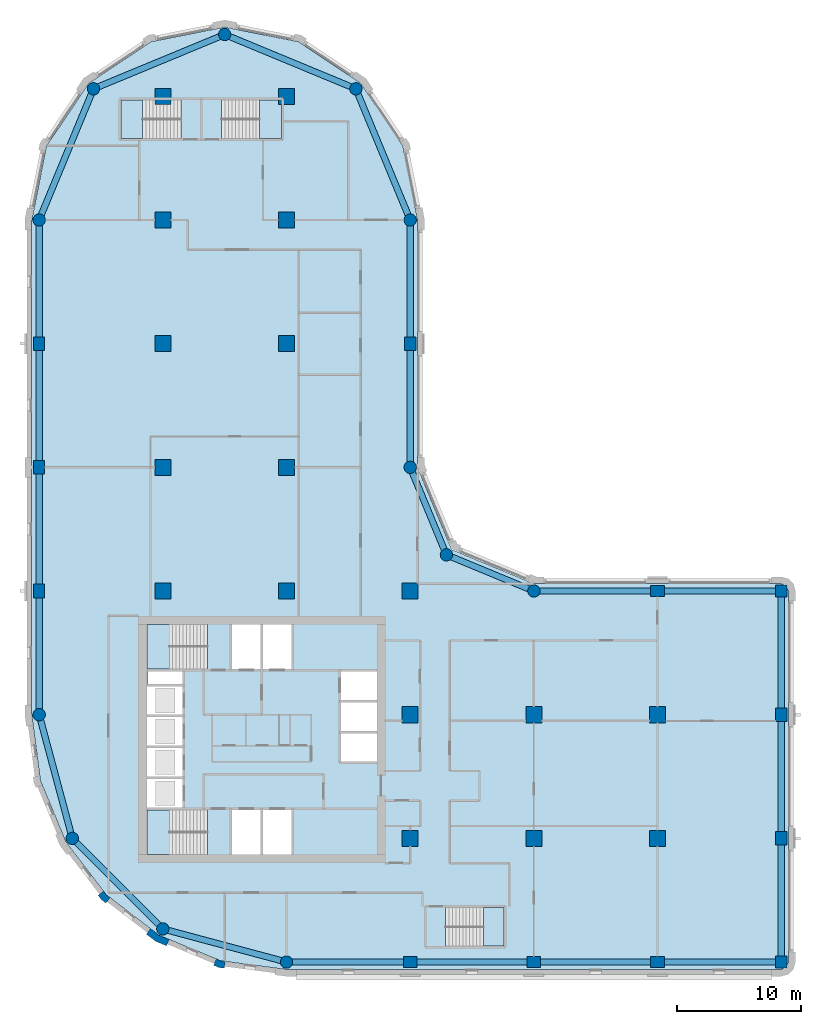
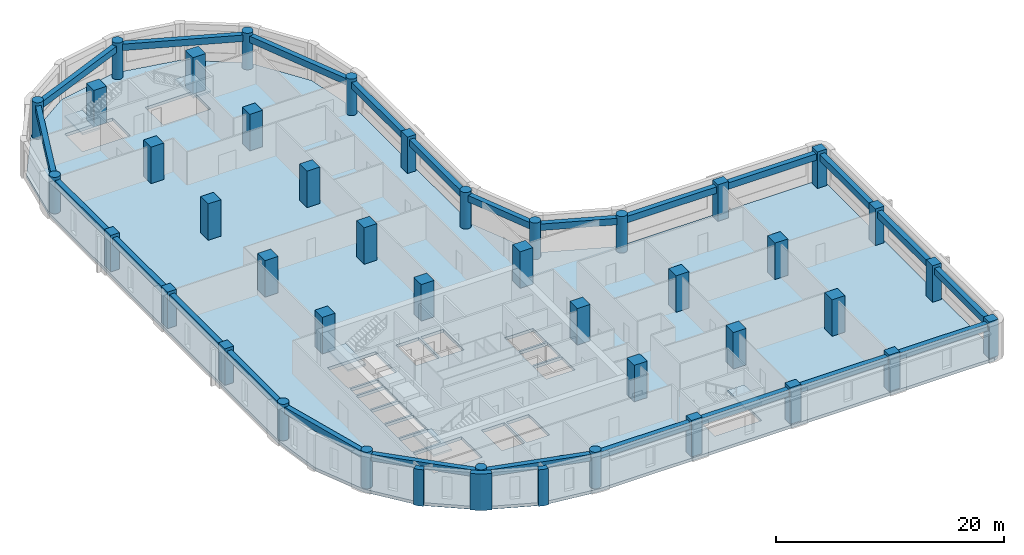
# One storey, part 1 of 9: 41 columns, 24 beams, 6 slabs, 3 walls, 5 elements without a shape of their own.
"""IFC4 building model written with IfcOpenShell, lengths in metres."""

from ifc_helpers import new_model, si_unit, direction, frame, origin, origin_2d, place, context, subcontext, project, spatial, polyline, rectangle, circle, outline, extrude, material, layer, layer_set, material_profile, profile_set, type_object, element, aggregate, save


model = new_model("IFC4")

# Units and contexts
model_context = context("Model", 3, precision=1e-05, world=origin(), true_north=direction((0.0, 1.0)))
body_context = subcontext(model_context, "Body", "Model", "MODEL_VIEW")
ifc_project = project(units=[si_unit("LENGTHUNIT", "METRE"), si_unit("AREAUNIT", "SQUARE_METRE"), si_unit("VOLUMEUNIT", "CUBIC_METRE"), si_unit("PLANEANGLEUNIT", "RADIAN"), si_unit("MASSUNIT", "GRAM", prefix="KILO")], contexts=[model_context])

# Site, building, storey
site_placement = place(None, origin())
site = spatial("IfcSite", under=ifc_project, at=site_placement, CompositionType="ELEMENT")
building_placement = place(site_placement, origin())
building = spatial("IfcBuilding", under=site, at=building_placement, Name="Qaws Garden Tower", CompositionType="ELEMENT")
storey_placement = place(building_placement, frame((0.0, 0.0, 159.0)))
storey = spatial("IfcBuildingStorey", under=building, at=storey_placement, Name="L38", CompositionType="ELEMENT", Elevation=159.0)

# Columns
ifc_material_1 = material(Name="Concrete C70", Category="concrete")
ifc_material_profile_1 = material_profile(ifc_material_1, rectangle(XDim=1.10009765625, YDim=0.89990234375, at=origin_2d()), Name="RC 1100x900")
ifc_profile_set_1 = profile_set([ifc_material_profile_1], Name="Concrete C70")
column_type_1 = type_object("IfcColumnType", Name="Column RC 1100x900 C70", PredefinedType="COLUMN", material=ifc_profile_set_1)
for number, where, z_axis, x_axis, name in (
    (1, (30.0, 0.0, 0.0), (0.0, 0.0, 1.0), (1.0, 0.0, 0.0), "Column L38-002"),
    (2, (40.0, 0.0, 0.0), (0.0, 0.0, 1.0), (1.0, 0.0, 0.0), "Column L38-003"),
    (3, (50.0, 0.0, 0.0), (0.0, 0.0, 1.0), (1.0, 0.0, 0.0), "Column L38-004"),
    (4, (60.0, 10.0, 0.0), (0.0, 0.0, 1.0), (0.0, 1.0, 0.0), "Column L38-006"),
    (5, (60.0, 20.0, 0.0), (0.0, 0.0, 1.0), (0.0, 1.0, 0.0), "Column L38-007"),
    (6, (50.0, 30.0, 0.0), (0.0, 0.0, 1.0), (1.0, 0.0, 0.0), "Column L38-009"),
    (7, (30.0, 50.0, 0.0), (0.0, 0.0, 1.0), (0.0, 1.0, 0.0), "Column L38-013"),
    (8, (0.0, 50.0, 0.0), (0.0, 0.0, 1.0), (0.0, 1.0, 0.0), "Column L38-019"),
    (9, (0.0, 40.0, 0.0), (0.0, 0.0, 1.0), (0.0, 1.0, 0.0), "Column L38-020"),
    (10, (0.0, 30.0, 0.0), (0.0, 0.0, 1.0), (0.0, 1.0, 0.0), "Column L38-021"),
):
    element("IfcColumn", number, at=place(storey_placement, frame(where, z_axis=z_axis, x_axis=x_axis)), inside=storey, type_object=column_type_1, Name=name, PredefinedType="COLUMN", context=body_context, shape_type="SweptSolid", body=[
        extrude(rectangle(XDim=1.10009765625, YDim=0.89990234375, at=origin_2d()), origin(), (0.0, 0.0, 1.0), 3.89990234375),
    ])
ifc_material_2 = material(Name="Concrete C70", Category="concrete")
ifc_material_profile_2 = material_profile(ifc_material_2, rectangle(XDim=1.300048828125, YDim=1.300048828125, at=origin_2d()), Name="RC 1300x1300")
ifc_profile_set_2 = profile_set([ifc_material_profile_2], Name="Concrete C70")
column_type_2 = type_object("IfcColumnType", Name="Column RC 1300x1300 C70", PredefinedType="COLUMN", material=ifc_profile_set_2)
for number, where, z_axis, x_axis, name in (
    (11, (10.0, 30.0, 0.0), (0.0, 0.0, 1.0), (1.0, 0.0, 0.0), "Column L38-025"),
    (12, (10.0, 40.0, 0.0), (0.0, 0.0, 1.0), (1.0, 0.0, 0.0), "Column L38-026"),
    (13, (10.0, 50.0, 0.0), (0.0, 0.0, 1.0), (1.0, 0.0, 0.0), "Column L38-027"),
    (14, (10.0, 60.0, 0.0), (0.0, 0.0, 1.0), (1.0, 0.0, 0.0), "Column L38-028"),
    (15, (10.0, 70.0, 0.0), (0.0, 0.0, 1.0), (1.0, 0.0, 0.0), "Column L38-029"),
    (16, (20.0, 30.0, 0.0), (0.0, 0.0, 1.0), (1.0, 0.0, 0.0), "Column L38-030"),
    (17, (20.0, 40.0, 0.0), (0.0, 0.0, 1.0), (1.0, 0.0, 0.0), "Column L38-031"),
    (18, (20.0, 50.0, 0.0), (0.0, 0.0, 1.0), (1.0, 0.0, 0.0), "Column L38-032"),
    (19, (20.0, 60.0, 0.0), (0.0, 0.0, 1.0), (1.0, 0.0, 0.0), "Column L38-033"),
    (20, (20.0, 70.0, 0.0), (0.0, 0.0, 1.0), (1.0, 0.0, 0.0), "Column L38-034"),
    (21, (30.0, 10.0, 0.0), (0.0, 0.0, 1.0), (1.0, 0.0, 0.0), "Column L38-035"),
    (22, (30.0, 20.0, 0.0), (0.0, 0.0, 1.0), (1.0, 0.0, 0.0), "Column L38-036"),
    (23, (30.0, 30.0, 0.0), (0.0, 0.0, 1.0), (1.0, 0.0, 0.0), "Column L38-037"),
    (24, (40.0, 10.0, 0.0), (0.0, 0.0, 1.0), (1.0, 0.0, 0.0), "Column L38-038"),
    (25, (40.0, 20.0, 0.0), (0.0, 0.0, 1.0), (1.0, 0.0, 0.0), "Column L38-039"),
    (26, (50.0, 10.0, 0.0), (0.0, 0.0, 1.0), (1.0, 0.0, 0.0), "Column L38-040"),
    (27, (50.0, 20.0, 0.0), (0.0, 0.0, 1.0), (1.0, 0.0, 0.0), "Column L38-041"),
):
    element("IfcColumn", number, at=place(storey_placement, frame(where, z_axis=z_axis, x_axis=x_axis)), inside=storey, type_object=column_type_2, Name=name, PredefinedType="COLUMN", context=body_context, shape_type="SweptSolid", body=[
        extrude(rectangle(XDim=1.300048828125, YDim=1.300048828125, at=origin_2d()), origin(), (0.0, 0.0, 1.0), 3.89990234375),
    ])
ifc_material_3 = material(Name="Concrete C70", Category="concrete")
ifc_material_profile_3 = material_profile(ifc_material_3, rectangle(XDim=0.949951171875, YDim=0.949951171875, at=origin_2d()), Name="RC 950x950")
ifc_profile_set_3 = profile_set([ifc_material_profile_3], Name="Concrete C70")
column_type_3 = type_object("IfcColumnType", Name="Column RC 950x950 C70", PredefinedType="COLUMN", material=ifc_profile_set_3)
for number, where, z_axis, x_axis, name in (
    (28, (60.0, 0.0, 0.0), (0.0, 0.0, 1.0), (1.0, 0.0, 0.0), "Column L38-005"),
    (29, (60.0, 30.0, 0.0), (0.0, 0.0, 1.0), (1.0, 0.0, 0.0), "Column L38-008"),
):
    element("IfcColumn", number, at=place(storey_placement, frame(where, z_axis=z_axis, x_axis=x_axis)), inside=storey, type_object=column_type_3, Name=name, PredefinedType="COLUMN", context=body_context, shape_type="SweptSolid", body=[
        extrude(rectangle(XDim=0.949951171875, YDim=0.949951171875, at=origin_2d()), origin(), (0.0, 0.0, 1.0), 3.89990234375),
    ])
ifc_material_4 = material(Name="Concrete C70", Category="concrete")
ifc_material_profile_4 = material_profile(ifc_material_4, circle(Radius=0.5, at=origin_2d()), Name="RC D1000")
ifc_profile_set_4 = profile_set([ifc_material_profile_4], Name="Concrete C70")
column_type_4 = type_object("IfcColumnType", Name="Column RC D1000 C70", PredefinedType="COLUMN", material=ifc_profile_set_4)
for number, where, z_axis, x_axis, name in (
    (30, (20.0, 0.0, 0.0), (0.0, 0.0, 1.0), (1.0, 0.0, 0.0), "Column L38-001"),
    (31, (40.0, 30.0, 0.0), (0.0, 0.0, 1.0), (1.0, 0.0, 0.0), "Column L38-010"),
    (32, (32.928955078125, 32.928955078125, 0.0), (0.0, 0.0, 1.0), (1.0, 0.0, 0.0), "Column L38-011"),
    (33, (30.0, 40.0, 0.0), (0.0, 0.0, 1.0), (1.0, 0.0, 0.0), "Column L38-012"),
    (34, (30.0, 60.0, 0.0), (0.0, 0.0, 1.0), (1.0, 0.0, 0.0), "Column L38-014"),
    (35, (25.606689453125, 70.606689453125, 0.0), (0.0, 0.0, 1.0), (1.0, 0.0, 0.0), "Column L38-015"),
    (36, (15.0, 75.0, 0.0), (0.0, 0.0, 1.0), (1.0, 0.0, 0.0), "Column L38-016"),
    (37, (4.393310546875, 70.606689453125, 0.0), (0.0, 0.0, 1.0), (1.0, 0.0, 0.0), "Column L38-017"),
    (38, (0.0, 60.0, 0.0), (0.0, 0.0, 1.0), (1.0, 0.0, 0.0), "Column L38-018"),
    (39, (0.0, 20.0, 0.0), (0.0, 0.0, 1.0), (1.0, 0.0, 0.0), "Column L38-022"),
    (40, (2.679443359375, 10.0, 0.0), (0.0, 0.0, 1.0), (1.0, 0.0, 0.0), "Column L38-023"),
    (41, (10.0, 2.679443359375, 0.0), (0.0, 0.0, 1.0), (1.0, 0.0, 0.0), "Column L38-024"),
):
    element("IfcColumn", number, at=place(storey_placement, frame(where, z_axis=z_axis, x_axis=x_axis)), inside=storey, type_object=column_type_4, Name=name, PredefinedType="COLUMN", context=body_context, shape_type="SweptSolid", body=[
        extrude(circle(Radius=0.5, at=origin_2d()), origin(), (0.0, 0.0, 1.0), 3.89990234375),
    ])

# Beams
ifc_material_5 = material(Name="Concrete C45", Category="concrete")
ifc_material_profile_5 = material_profile(ifc_material_5, rectangle(XDim=0.5, YDim=0.699951171875, at=origin_2d()), Name="RC 500x700")
ifc_profile_set_5 = profile_set([ifc_material_profile_5], Name="Concrete C45")
beam_type = type_object("IfcBeamType", Name="Spandrel beam RC 500x700 C45", PredefinedType="SPANDREL", material=ifc_profile_set_5)
for number, where, z_axis, x_axis, name in (
    (42, (20.0, 0.0, 3.22998046875), (1.0, 0.0, 0.0), (0.0, 1.0, 0.0), "Spandrel beam L38-001"),
    (43, (30.0, 0.0, 3.22998046875), (1.0, 0.0, 0.0), (0.0, 1.0, 0.0), "Spandrel beam L38-002"),
    (44, (40.0, 0.0, 3.22998046875), (1.0, 0.0, 0.0), (0.0, 1.0, 0.0), "Spandrel beam L38-003"),
    (45, (50.0, 0.0, 3.22998046875), (1.0, 0.0, 0.0), (0.0, 1.0, 0.0), "Spandrel beam L38-004"),
    (46, (60.0, 0.0, 3.22998046875), (0.0, 1.0, 0.0), (-1.0, 0.0, 0.0), "Spandrel beam L38-005"),
    (47, (60.0, 10.0, 3.22998046875), (0.0, 1.0, 0.0), (-1.0, 0.0, 0.0), "Spandrel beam L38-006"),
    (48, (60.0, 20.0, 3.22998046875), (0.0, 1.0, 0.0), (-1.0, 0.0, 0.0), "Spandrel beam L38-007"),
    (49, (60.0, 30.0, 3.22998046875), (-1.0, 0.0, 0.0), (0.0, -1.0, 0.0), "Spandrel beam L38-008"),
    (50, (50.0, 30.0, 3.22998046875), (-1.0, 0.0, 0.0), (0.0, -1.0, 0.0), "Spandrel beam L38-009"),
):
    element("IfcBeam", number, at=place(storey_placement, frame(where, z_axis=z_axis, x_axis=x_axis)), inside=storey, type_object=beam_type, Name=name, PredefinedType="SPANDREL", context=body_context, shape_type="SweptSolid", body=[
        extrude(rectangle(XDim=0.5, YDim=0.699951171875, at=origin_2d()), origin(), (0.0, 0.0, 1.0), 10.0),
    ])
for number, where, z_axis, x_axis, name in (
    (51, (40.0, 30.0, 3.22998046875), (-0.923878037141, 0.382687042488, 0.0), (-0.382687042488, -0.923878037141, 0.0), "Spandrel beam L38-010"),
    (52, (32.928955078125, 32.928955078125, 3.22998046875), (-0.382687042488, 0.923878037141, 0.0), (-0.923878037141, -0.382687042488, 0.0), "Spandrel beam L38-011"),
):
    element("IfcBeam", number, at=place(storey_placement, frame(where, z_axis=z_axis, x_axis=x_axis)), inside=storey, type_object=beam_type, Name=name, PredefinedType="SPANDREL", context=body_context, shape_type="SweptSolid", body=[
        extrude(rectangle(XDim=0.5, YDim=0.699951171875, at=origin_2d()), origin(), (0.0, 0.0, 1.0), 7.653564453125),
    ])
for number, where, z_axis, x_axis, name in (
    (53, (30.0, 40.0, 3.22998046875), (0.0, 1.0, 0.0), (-1.0, 0.0, 0.0), "Spandrel beam L38-012"),
    (54, (30.0, 50.0, 3.22998046875), (0.0, 1.0, 0.0), (-1.0, 0.0, 0.0), "Spandrel beam L38-013"),
):
    element("IfcBeam", number, at=place(storey_placement, frame(where, z_axis=z_axis, x_axis=x_axis)), inside=storey, type_object=beam_type, Name=name, PredefinedType="SPANDREL", context=body_context, shape_type="SweptSolid", body=[
        extrude(rectangle(XDim=0.5, YDim=0.699951171875, at=origin_2d()), origin(), (0.0, 0.0, 1.0), 10.0),
    ])
for number, where, z_axis, x_axis, name in (
    (55, (30.0, 60.0, 3.22998046875), (-0.382674207535, 0.923883353507, 0.0), (-0.923883353507, -0.382674207535, 0.0), "Spandrel beam L38-014"),
    (56, (25.606689453125, 70.606689453125, 3.22998046875), (-0.923883353507, 0.382674207535, 0.0), (-0.382674207535, -0.923883353507, 0.0), "Spandrel beam L38-015"),
    (57, (15.0, 75.0, 3.22998046875), (-0.923883353507, -0.382674207535, 0.0), (0.382674207535, -0.923883353507, 0.0), "Spandrel beam L38-016"),
    (58, (4.393310546875, 70.606689453125, 3.22998046875), (-0.382674207535, -0.923883353507, 0.0), (0.923883353507, -0.382674207535, 0.0), "Spandrel beam L38-017"),
):
    element("IfcBeam", number, at=place(storey_placement, frame(where, z_axis=z_axis, x_axis=x_axis)), inside=storey, type_object=beam_type, Name=name, PredefinedType="SPANDREL", context=body_context, shape_type="SweptSolid", body=[
        extrude(rectangle(XDim=0.5, YDim=0.699951171875, at=origin_2d()), origin(), (0.0, 0.0, 1.0), 11.48046875),
    ])
for number, where, z_axis, x_axis, name in (
    (59, (0.0, 60.0, 3.22998046875), (0.0, -1.0, 0.0), (1.0, 0.0, 0.0), "Spandrel beam L38-018"),
    (60, (0.0, 50.0, 3.22998046875), (0.0, -1.0, 0.0), (1.0, 0.0, 0.0), "Spandrel beam L38-019"),
    (61, (0.0, 40.0, 3.22998046875), (0.0, -1.0, 0.0), (1.0, 0.0, 0.0), "Spandrel beam L38-020"),
    (62, (0.0, 30.0, 3.22998046875), (0.0, -1.0, 0.0), (1.0, 0.0, 0.0), "Spandrel beam L38-021"),
):
    element("IfcBeam", number, at=place(storey_placement, frame(where, z_axis=z_axis, x_axis=x_axis)), inside=storey, type_object=beam_type, Name=name, PredefinedType="SPANDREL", context=body_context, shape_type="SweptSolid", body=[
        extrude(rectangle(XDim=0.5, YDim=0.699951171875, at=origin_2d()), origin(), (0.0, 0.0, 1.0), 10.0),
    ])
for number, where, z_axis, x_axis, name in (
    (63, (0.0, 20.0, 3.22998046875), (0.25881466832, -0.965926999034, 0.0), (0.965926999034, 0.25881466832, 0.0), "Spandrel beam L38-022"),
    (64, (2.679443359375, 10.0, 3.22998046875), (0.707106781187, -0.707106781187, 0.0), (0.707106781187, 0.707106781187, 0.0), "Spandrel beam L38-023"),
    (65, (10.0, 2.679443359375, 3.22998046875), (0.965926999034, -0.25881466832, 0.0), (0.25881466832, 0.965926999034, 0.0), "Spandrel beam L38-024"),
):
    element("IfcBeam", number, at=place(storey_placement, frame(where, z_axis=z_axis, x_axis=x_axis)), inside=storey, type_object=beam_type, Name=name, PredefinedType="SPANDREL", context=body_context, shape_type="SweptSolid", body=[
        extrude(rectangle(XDim=0.5, YDim=0.699951171875, at=origin_2d()), origin(), (0.0, 0.0, 1.0), 10.352783203125),
    ])

# Slab
ifc_material_6 = material(Name="Concrete C40", Category="concrete")
ifc_layer_1 = layer(ifc_material_6, 0.320068359375)
ifc_layer_set_1 = layer_set([ifc_layer_1], Name="Concrete C40")
slab_type_1 = type_object("IfcSlabType", Name="Floor slab 320 C40", PredefinedType="FLOOR", material=ifc_layer_set_1)
slab_1_placement = place(storey_placement, frame((0.0, 0.0, -0.320068359375)))
element("IfcSlab", 66, at=slab_1_placement, inside=storey, type_object=slab_type_1, Name="Floor slab L38", PredefinedType="FLOOR", context=body_context, shape_type="SweptSolid", body=[
    extrude(outline(polyline([(0.101806640625, 14.668212890625), (-0.60009765625, 20.0), (-0.60009765625, 30.60009765625), (-0.60009765625, 60.0), (-0.60009765625, 60.0), (0.58740234375, 65.969970703125), (3.968994140625, 71.031005859375), (9.030029296875, 74.41259765625), (15.0, 75.60009765625), (20.969970703125, 74.41259765625), (26.031005859375, 71.031005859375), (29.41259765625, 65.969970703125), (30.60009765625, 60.0), (30.60009765625, 40.0), (33.353271484375, 33.353271484375), (40.0, 30.60009765625), (60.0, 30.60009765625), (60.42431640625, 30.42431640625), (60.60009765625, 30.0), (60.60009765625, 0.0), (60.42431640625, -0.42431640625), (60.0, -0.60009765625), (30.60009765625, -0.60009765625), (20.0, -0.60009765625), (14.668212890625, 0.101806640625), (9.699951171875, 2.159912109375), (5.43359375, 5.43359375), (2.159912109375, 9.699951171875), (0.101806640625, 14.668212890625)]), holes=[polyline([(13.599609375, 12.300048828125), (8.699951171875, 12.300048828125), (8.699951171875, 8.699951171875), (13.599609375, 8.699951171875), (13.599609375, 12.300048828125)]), polyline([(17.89990234375, 12.300048828125), (15.60009765625, 12.300048828125), (15.60009765625, 8.699951171875), (17.89990234375, 8.699951171875), (17.89990234375, 12.300048828125)]), polyline([(11.60009765625, 14.800048828125), (8.699951171875, 14.800048828125), (8.699951171875, 12.5), (11.60009765625, 12.5), (11.60009765625, 14.800048828125)]), polyline([(11.60009765625, 17.300048828125), (8.699951171875, 17.300048828125), (8.699951171875, 15.0), (11.60009765625, 15.0), (11.60009765625, 17.300048828125)]), polyline([(11.60009765625, 19.800048828125), (8.699951171875, 19.800048828125), (8.699951171875, 17.5), (11.60009765625, 17.5), (11.60009765625, 19.800048828125)]), polyline([(11.60009765625, 22.300048828125), (8.699951171875, 22.300048828125), (8.699951171875, 20.0), (11.60009765625, 20.0), (11.60009765625, 22.300048828125)]), polyline([(11.60009765625, 23.5), (8.800048828125, 23.5), (8.800048828125, 22.5), (11.60009765625, 22.5), (11.60009765625, 23.5)]), polyline([(13.599609375, 27.300048828125), (8.699951171875, 27.300048828125), (8.699951171875, 23.699951171875), (13.599609375, 23.699951171875), (13.599609375, 27.300048828125)]), polyline([(11.449462890625, 69.699951171875), (6.60009765625, 69.699951171875), (6.60009765625, 66.60009765625), (11.449462890625, 66.60009765625), (11.449462890625, 69.699951171875)]), polyline([(37.60009765625, 4.39990234375), (32.8505859375, 4.39990234375), (32.8505859375, 1.300048828125), (37.60009765625, 1.300048828125), (37.60009765625, 4.39990234375)]), polyline([(20.39990234375, 12.300048828125), (18.10009765625, 12.300048828125), (18.10009765625, 8.699951171875), (20.39990234375, 8.699951171875), (20.39990234375, 12.300048828125)]), polyline([(27.300048828125, 18.5), (24.39990234375, 18.5), (24.39990234375, 16.199951171875), (27.300048828125, 16.199951171875), (27.300048828125, 18.5)]), polyline([(27.300048828125, 21.0), (24.39990234375, 21.0), (24.39990234375, 18.699951171875), (27.300048828125, 18.699951171875), (27.300048828125, 21.0)]), polyline([(27.300048828125, 23.5), (24.39990234375, 23.5), (24.39990234375, 21.199951171875), (27.300048828125, 21.199951171875), (27.300048828125, 23.5)]), polyline([(17.89990234375, 27.300048828125), (15.60009765625, 27.300048828125), (15.60009765625, 23.699951171875), (17.89990234375, 23.699951171875), (17.89990234375, 27.300048828125)]), polyline([(20.39990234375, 23.699951171875), (20.39990234375, 27.300048828125), (18.10009765625, 27.300048828125), (18.10009765625, 23.699951171875), (20.39990234375, 23.699951171875)]), polyline([(19.60009765625, 66.60009765625), (19.60009765625, 69.699951171875), (14.75048828125, 69.699951171875), (14.75048828125, 66.60009765625), (19.60009765625, 66.60009765625)])]), origin(), (0.0, 0.0, 1.0), 0.320068359375),
])

# Stair, slab
ifc_material_7 = material(Name="Concrete C40", Category="concrete")
stair_type_1 = type_object("IfcStairType", Name="Exit stair 1500", PredefinedType="HALF_TURN_STAIR", material=ifc_material_7)
placement_1 = place(storey_placement, origin())
stair_1 = element("IfcStair", 67, at=placement_1, inside=storey, type_object=stair_type_1, Name="Stair 1", PredefinedType="HALF_TURN_STAIR")
ifc_material_8 = material(Name="Concrete C40", Category="concrete")
ifc_layer_2 = layer(ifc_material_8, 0.199951171875)
ifc_layer_set_2 = layer_set([ifc_layer_2], Name="Concrete C40")
slab_type_2 = type_object("IfcSlabType", Name="Stair landing 200", PredefinedType="LANDING", material=ifc_layer_set_2)
placement_2 = place(storey_placement, frame((0.0, 0.0, 1.75)))
slab_2 = element("IfcSlab", 68, at=placement_2, type_object=slab_type_2, Name="ST1 landing 1", PredefinedType="LANDING", context=body_context, shape_type="SweptSolid", body=[
    extrude(outline(polyline([(8.699951171875, 8.699951171875), (10.52001953125, 8.699951171875), (10.52001953125, 12.300048828125), (8.699951171875, 12.300048828125), (8.699951171875, 8.699951171875)])), origin(), (0.0, 0.0, 1.0), 0.199951171875),
])
aggregate(stair_1, [slab_2])

stair_2 = element("IfcStair", 69, at=placement_1, inside=storey, type_object=stair_type_1, Name="Stair 4", PredefinedType="HALF_TURN_STAIR")
slab_3 = element("IfcSlab", 70, at=placement_2, type_object=slab_type_2, Name="ST4 landing 1", PredefinedType="LANDING", context=body_context, shape_type="SweptSolid", body=[
    extrude(outline(polyline([(8.699951171875, 23.699951171875), (10.52001953125, 23.699951171875), (10.52001953125, 27.300048828125), (8.699951171875, 27.300048828125), (8.699951171875, 23.699951171875)])), origin(), (0.0, 0.0, 1.0), 0.199951171875),
])
aggregate(stair_2, [slab_3])

ifc_material_9 = material(Name="Concrete C40", Category="concrete")
stair_type_2 = type_object("IfcStairType", Name="Exit stair 1350", PredefinedType="HALF_TURN_STAIR", material=ifc_material_9)
stair_3 = element("IfcStair", 71, at=placement_1, inside=storey, type_object=stair_type_2, Name="Stair 5", PredefinedType="HALF_TURN_STAIR")
slab_4 = element("IfcSlab", 72, at=placement_2, type_object=slab_type_2, Name="ST5 landing 1", PredefinedType="LANDING", context=body_context, shape_type="SweptSolid", body=[
    extrude(outline(polyline([(35.929931640625, 1.300048828125), (37.60009765625, 1.300048828125), (37.60009765625, 4.39990234375), (35.929931640625, 4.39990234375), (35.929931640625, 1.300048828125)])), origin(), (0.0, 0.0, 1.0), 0.199951171875),
])
aggregate(stair_3, [slab_4])

stair_4 = element("IfcStair", 73, at=placement_1, inside=storey, type_object=stair_type_2, Name="Stair 6", PredefinedType="HALF_TURN_STAIR")
slab_5 = element("IfcSlab", 74, at=placement_2, type_object=slab_type_2, Name="ST6 landing 1", PredefinedType="LANDING", context=body_context, shape_type="SweptSolid", body=[
    extrude(outline(polyline([(6.60009765625, 66.60009765625), (8.3701171875, 66.60009765625), (8.3701171875, 69.699951171875), (6.60009765625, 69.699951171875), (6.60009765625, 66.60009765625)])), origin(), (0.0, 0.0, 1.0), 0.199951171875),
])
aggregate(stair_4, [slab_5])

stair_5 = element("IfcStair", 75, at=placement_1, inside=storey, type_object=stair_type_2, Name="Stair 7", PredefinedType="HALF_TURN_STAIR")
slab_6 = element("IfcSlab", 76, at=placement_2, type_object=slab_type_2, Name="ST7 landing 1", PredefinedType="LANDING", context=body_context, shape_type="SweptSolid", body=[
    extrude(outline(polyline([(17.830078125, 66.60009765625), (19.60009765625, 66.60009765625), (19.60009765625, 69.699951171875), (17.830078125, 69.699951171875), (17.830078125, 66.60009765625)])), origin(), (0.0, 0.0, 1.0), 0.199951171875),
])
aggregate(stair_5, [slab_6])

# Walls
ifc_material_10 = material(Name="Clay facing brick masonry", Category="masonry")
ifc_layer_3 = layer(ifc_material_10, 0.550048828125)
ifc_layer_set_3 = layer_set([ifc_layer_3], Name="Clay facing brick masonry")
wall_type_1 = type_object("IfcWallType", Name="Brick kink pier 550 x 600", PredefinedType="SOLIDWALL", material=ifc_layer_set_3)
element("IfcWall", 77, at=placement_1, inside=storey, type_object=wall_type_1, Name="E-L38-pier-28", PredefinedType="SOLIDWALL", context=body_context, shape_type="SweptSolid", body=[
    extrude(outline(polyline([(4.8818359375, 5.487060546875), (4.762939453125, 5.395751953125), (5.03759765625, 5.03759765625), (5.395751953125, 4.762939453125), (5.487060546875, 4.8818359375), (5.730712890625, 5.19921875), (5.429931640625, 5.429931640625), (5.19921875, 5.730712890625), (4.8818359375, 5.487060546875)])), origin(), (0.0, 0.0, 1.0), 3.89990234375),
])
element("IfcWall", 78, at=placement_1, inside=storey, type_object=wall_type_1, Name="E-L38-pier-30", PredefinedType="SOLIDWALL", context=body_context, shape_type="SweptSolid", body=[
    extrude(outline(polyline([(14.163818359375, -0.127685546875), (14.1064453125, -0.26611328125), (14.5234375, -0.43896484375), (14.970947265625, -0.497802734375), (14.990478515625, -0.34912109375), (15.042724609375, 0.04736328125), (14.6669921875, 0.096923828125), (14.31689453125, 0.241943359375), (14.163818359375, -0.127685546875)])), origin(), (0.0, 0.0, 1.0), 3.89990234375),
])
ifc_material_11 = material(Name="Clay facing brick masonry", Category="masonry")
ifc_layer_4 = layer(ifc_material_11, 0.550048828125)
ifc_layer_set_4 = layer_set([ifc_layer_4], Name="Clay facing brick masonry")
wall_type_2 = type_object("IfcWallType", Name="Brick pier 550 x 1600", PredefinedType="SOLIDWALL", material=ifc_layer_set_4)
element("IfcWall", 79, at=placement_1, inside=storey, type_object=wall_type_2, Name="E-L38-pier-29", PredefinedType="SOLIDWALL", context=body_context, shape_type="SweptSolid", body=[
    extrude(outline(polyline([(8.756591796875, 2.373046875), (8.665283203125, 2.254150390625), (9.419921875, 1.675048828125), (10.299072265625, 1.310791015625), (10.3564453125, 1.449462890625), (10.509521484375, 1.819091796875), (9.697509765625, 2.1552734375), (9.0, 2.6904296875), (8.756591796875, 2.373046875)])), origin(), (0.0, 0.0, 1.0), 3.89990234375),
])

save(model, "model.ifc")
